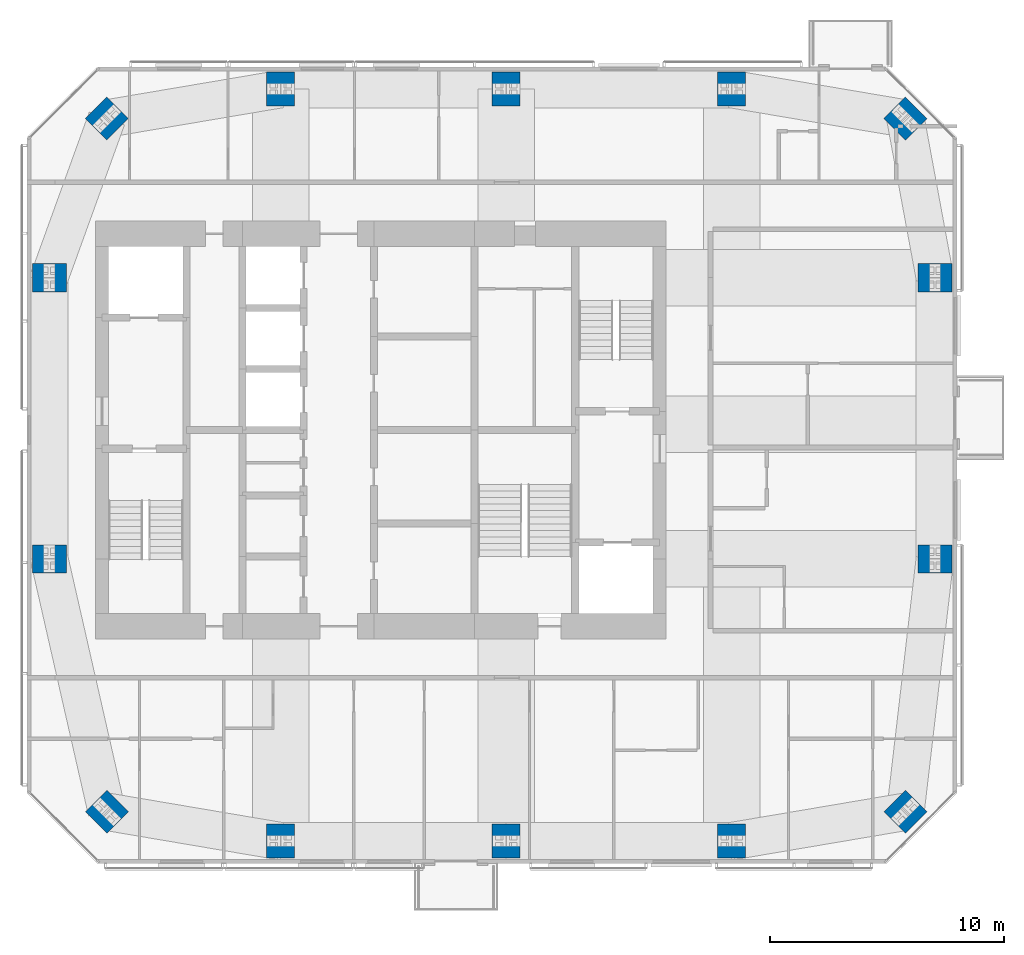
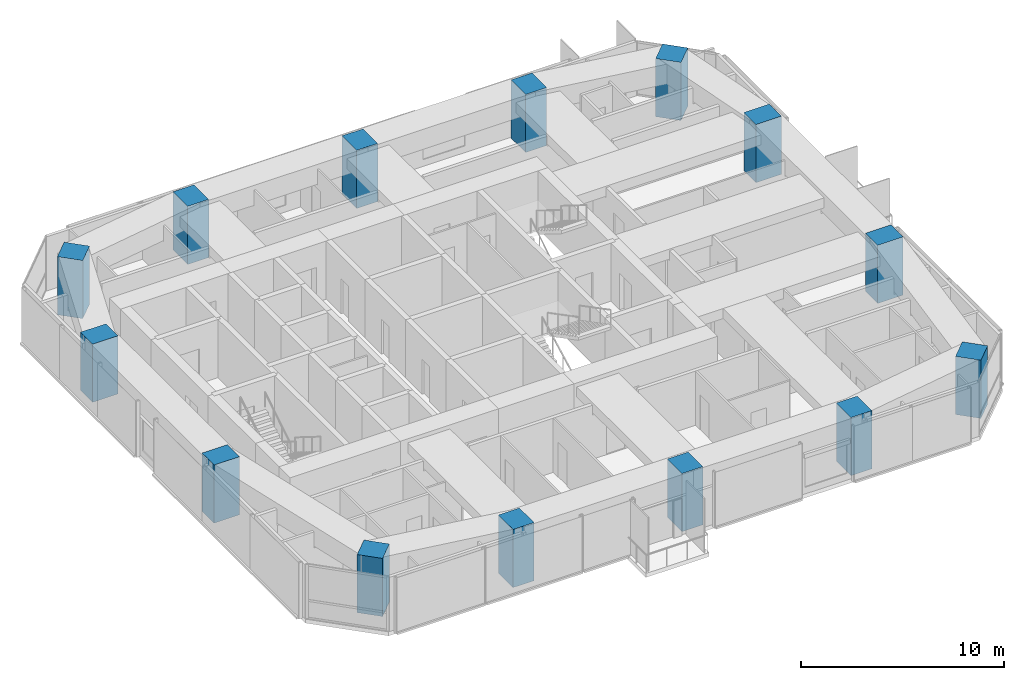
# One storey, part 1 of 18: 14 columns.
"""IFC4 building model written with IfcOpenShell, lengths in metres."""

from ifc_helpers import new_model, si_unit, direction, frame, origin, origin_2d, place, context, subcontext, project, spatial, rectangle, extrude, material, material_profile, profile_set, type_object, element, save


model = new_model("IFC4")

# Units and contexts
model_context = context("Model", 3, precision=1e-05, world=origin(), true_north=direction((0.0, 1.0)))
body_context = subcontext(model_context, "Body", "Model", "MODEL_VIEW")
ifc_project = project(units=[si_unit("LENGTHUNIT", "METRE"), si_unit("AREAUNIT", "SQUARE_METRE"), si_unit("VOLUMEUNIT", "CUBIC_METRE"), si_unit("PLANEANGLEUNIT", "RADIAN"), si_unit("MASSUNIT", "GRAM", prefix="KILO")], contexts=[model_context])

# Site, building, storey
site_placement = place(None, origin())
site = spatial("IfcSite", under=ifc_project, at=site_placement, CompositionType="ELEMENT")
building_placement = place(site_placement, origin())
building = spatial("IfcBuilding", under=site, at=building_placement, Name="Jalousie Tower", CompositionType="ELEMENT")
storey_placement = place(building_placement, frame((0.0, 0.0, 249.449951171875)))
storey = spatial("IfcBuildingStorey", under=building, at=storey_placement, Name="L68", CompositionType="ELEMENT", Elevation=249.449951171875)

# Columns
ifc_material_1 = material(Name="Concrete f'c 120 MPa", Category="concrete")
ifc_material_profile_1 = material_profile(ifc_material_1, rectangle(XDim=1.300048828125, YDim=1.300048828125, at=origin_2d()), Name="RC 1300x1300")
ifc_profile_set_1 = profile_set([ifc_material_profile_1], Name="Concrete f'c 120 MPa")
column_type_1 = type_object("IfcColumnType", Name="RC COLUMN 1300x1300", PredefinedType="COLUMN", material=ifc_profile_set_1)
for number, where, z_axis, x_axis, name in (
    (1, (20.20703125, 2.20703125, 0.0), (0.0, 0.0, 1.0), (0.707106781187, 0.707106781187, 0.0), "Column 01 L68"),
    (2, (54.29296875, 2.20703125, 0.0), (0.0, 0.0, 1.0), (0.707106781187, 0.707106781187, 0.0), "Column 05 L68"),
    (3, (54.29296875, 31.79296875, 0.0), (0.0, 0.0, 1.0), (0.707106781187, 0.707106781187, 0.0), "Column 08 L68"),
    (4, (20.20703125, 31.79296875, 0.0), (0.0, 0.0, 1.0), (0.707106781187, 0.707106781187, 0.0), "Column 12 L68"),
):
    element("IfcColumn", number, at=place(storey_placement, frame(where, z_axis=z_axis, x_axis=x_axis)), inside=storey, type_object=column_type_1, Name=name, PredefinedType="COLUMN", context=body_context, shape_type="SweptSolid", body=[
        extrude(rectangle(XDim=1.300048828125, YDim=1.300048828125, at=origin_2d()), origin(), (0.0, 0.0, 1.0), 3.5),
    ])
ifc_material_2 = material(Name="Concrete f'c 120 MPa", Category="concrete")
ifc_material_profile_2 = material_profile(ifc_material_2, rectangle(XDim=1.449951171875, YDim=1.199951171875, at=origin_2d()), Name="RC 1450x1200")
ifc_profile_set_2 = profile_set([ifc_material_profile_2], Name="Concrete f'c 120 MPa")
column_type_2 = type_object("IfcColumnType", Name="RC COLUMN 1450x1200", PredefinedType="COLUMN", material=ifc_profile_set_2)
for number, where, z_axis, x_axis, name in (
    (5, (27.625, 0.949951171875, 0.0), (0.0, 0.0, 1.0), (0.0, 1.0, 0.0), "Column 02 L68"),
    (6, (37.25, 0.949951171875, 0.0), (0.0, 0.0, 1.0), (0.0, 1.0, 0.0), "Column 03 L68"),
    (7, (46.875, 0.949951171875, 0.0), (0.0, 0.0, 1.0), (0.0, 1.0, 0.0), "Column 04 L68"),
    (8, (55.550048828125, 13.0, 0.0), (0.0, 0.0, 1.0), (1.0, 0.0, 0.0), "Column 06 L68"),
    (9, (55.550048828125, 25.0, 0.0), (0.0, 0.0, 1.0), (1.0, 0.0, 0.0), "Column 07 L68"),
    (10, (46.875, 33.050048828125, 0.0), (0.0, 0.0, 1.0), (0.0, 1.0, 0.0), "Column 09 L68"),
    (11, (37.25, 33.050048828125, 0.0), (0.0, 0.0, 1.0), (0.0, 1.0, 0.0), "Column 10 L68"),
    (12, (27.625, 33.050048828125, 0.0), (0.0, 0.0, 1.0), (0.0, 1.0, 0.0), "Column 11 L68"),
    (13, (17.75, 25.0, 0.0), (0.0, 0.0, 1.0), (1.0, 0.0, 0.0), "Column 13 L68"),
    (14, (17.75, 13.0, 0.0), (0.0, 0.0, 1.0), (1.0, 0.0, 0.0), "Column 14 L68"),
):
    element("IfcColumn", number, at=place(storey_placement, frame(where, z_axis=z_axis, x_axis=x_axis)), inside=storey, type_object=column_type_2, Name=name, PredefinedType="COLUMN", context=body_context, shape_type="SweptSolid", body=[
        extrude(rectangle(XDim=1.449951171875, YDim=1.199951171875, at=origin_2d()), origin(), (0.0, 0.0, 1.0), 3.5),
    ])

save(model, "model.ifc")
